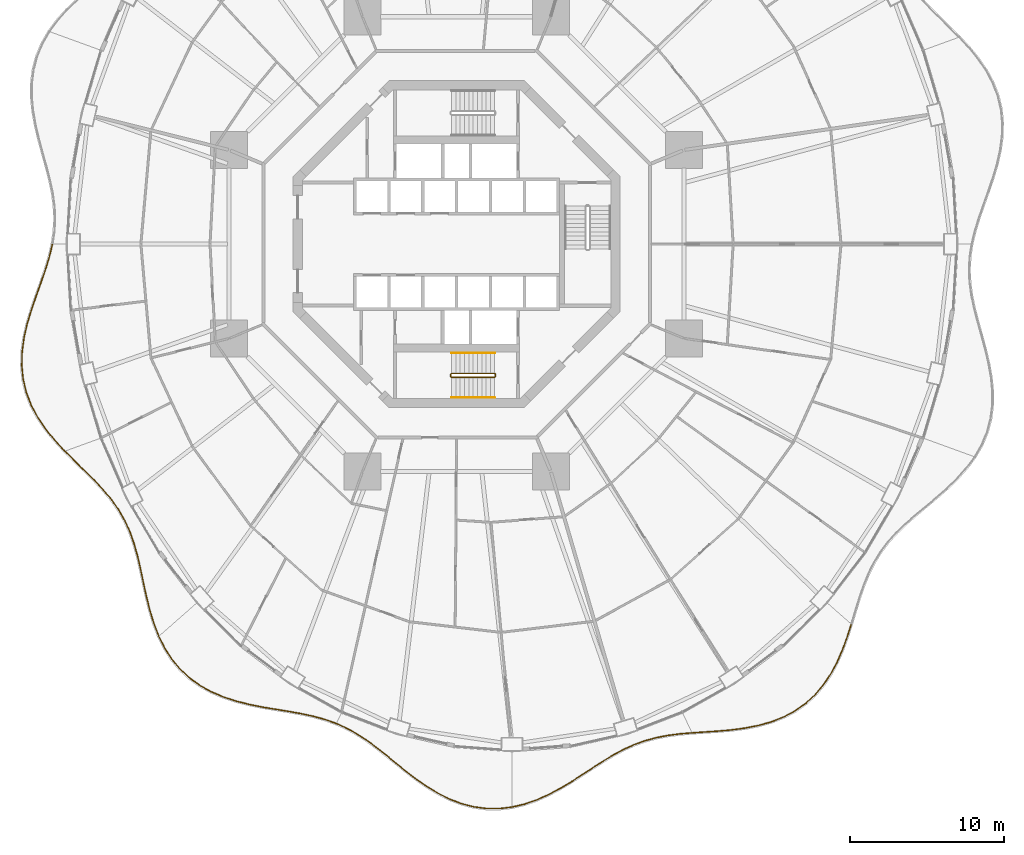
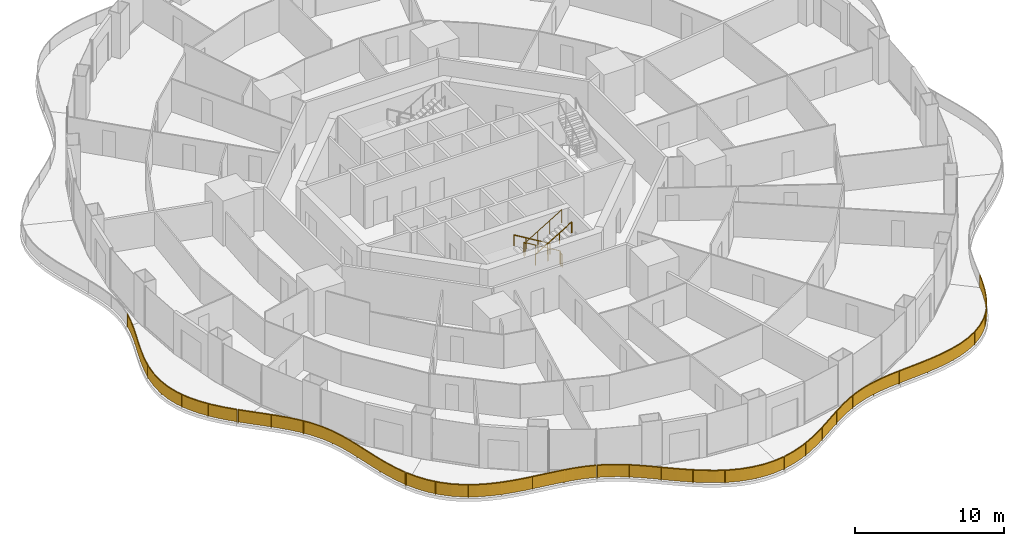
# One storey, part 20 of 22: 9 railings.
"""IFC4 building model written with IfcOpenShell, lengths in metres."""

import ifcopenshell
import ifcopenshell.guid

model = None  # the IFC model being written
_history = None  # IfcOwnerHistory: only IFC2X3 demands one
_inside = {}  # id of a spatial element -> (the spatial element, [elements in it])
_under = {}  # id of a project, library or spatial element -> (it, [spatial elements below it])
_declared = {}  # id of a project -> (the project, [libraries it declares])
_typed = {}  # id of a type object -> (the type object, [elements of that type])
_made_of = {}  # id of a material, layer set ... -> (it, [elements and type objects made of it])


def new_model(schema):
    """Start an empty IFC model of exactly this schema.

    Asked for "IFC4X3", IfcOpenShell would pick the latest addendum, in which some entities
    have other attributes; the version numbers below select the first issue.
    IFC2X3 requires an IfcOwnerHistory on every rooted entity: one is made here for all.
    """
    global model, _history
    if schema == "IFC4X3":
        model = ifcopenshell.file(schema_version=(4, 3, 0, 0))
    else:
        model = ifcopenshell.file(schema=schema)
    _inside.clear()
    _under.clear()
    _declared.clear()
    _typed.clear()
    _made_of.clear()
    _history = None
    if model.schema == "IFC2X3":
        org = make("IfcOrganization", Name="unknown")
        user = make(
            "IfcPersonAndOrganization",
            ThePerson=make("IfcPerson", FamilyName="unknown"),
            TheOrganization=org,
        )
        app = make(
            "IfcApplication",
            ApplicationDeveloper=org,
            Version="unknown",
            ApplicationFullName="unknown",
            ApplicationIdentifier="unknown",
        )
        _history = make(
            "IfcOwnerHistory",
            OwningUser=user,
            OwningApplication=app,
            ChangeAction="ADDED",
            CreationDate=0,
        )
    return model


def make(cls, **values):
    """One entity of the class cls with the attributes given. An attribute that is None is left unset."""
    return model.create_entity(
        cls, **{name: value for name, value in values.items() if value is not None}
    )


def rooted(cls, **values):
    """An entity with a GlobalId (a new one), such as an element, a storey or a relation."""
    return make(cls, GlobalId=ifcopenshell.guid.new(), OwnerHistory=_history, **values)


def si_unit(unit_type, name, prefix=None):
    """IfcSIUnit, for example si_unit("LENGTHUNIT", "METRE", prefix="MILLI")."""
    return make("IfcSIUnit", UnitType=unit_type, Prefix=prefix, Name=name)


def assignment(units):
    """IfcUnitAssignment: the units of a project."""
    return None if units is None else make("IfcUnitAssignment", Units=units)


def point(xyz):
    """IfcCartesianPoint."""
    return None if xyz is None else make("IfcCartesianPoint", Coordinates=xyz)


def direction(xyz):
    """IfcDirection."""
    return None if xyz is None else make("IfcDirection", DirectionRatios=xyz)


def frame(location, z_axis=None, x_axis=None):
    """IfcAxis2Placement3D, a coordinate frame: its origin and axes. An axis left out is left unset."""
    return make(
        "IfcAxis2Placement3D",
        Location=point(location),
        Axis=direction(z_axis),
        RefDirection=direction(x_axis),
    )


def frame_2d(location, x_axis=None):
    """IfcAxis2Placement2D, a coordinate frame in the plane: its origin and x axis."""
    return make(
        "IfcAxis2Placement2D", Location=point(location), RefDirection=direction(x_axis)
    )


def origin():
    """The frame at (0, 0, 0) with its axes left unset."""
    return frame((0.0, 0.0, 0.0))


def origin_2d():
    """The frame at (0, 0) in the plane with its x axis left unset."""
    return frame_2d((0.0, 0.0))


def place(relative_to, where):
    """IfcLocalPlacement: puts the frame where relative to a parent placement (None: the world)."""
    return make(
        "IfcLocalPlacement", PlacementRelTo=relative_to, RelativePlacement=where
    )


def context(
    kind, dimensions, precision=None, world=None, true_north=None, identifier=None
):
    """IfcGeometricRepresentationContext, for example the 3D "Model" context."""
    return make(
        "IfcGeometricRepresentationContext",
        ContextIdentifier=identifier,
        ContextType=kind,
        CoordinateSpaceDimension=dimensions,
        Precision=precision,
        WorldCoordinateSystem=world,
        TrueNorth=true_north,
    )


def subcontext(parent, identifier, kind, view, scale=None):
    """IfcGeometricRepresentationSubContext, for example "Body" below "Model"."""
    return make(
        "IfcGeometricRepresentationSubContext",
        ContextIdentifier=identifier,
        ContextType=kind,
        ParentContext=parent,
        TargetScale=scale,
        TargetView=view,
    )


def project(units=None, contexts=None):
    """IfcProject with its units and contexts."""
    return rooted(
        "IfcProject",
        Name="project",
        RepresentationContexts=contexts,
        UnitsInContext=assignment(units),
    )


def spatial(cls, under=None, at=None, **own):
    """A site, building, storey or space (cls), placed at a placement, below another one or the project."""
    s = rooted(cls, ObjectPlacement=at, **own)
    if under is not None:
        _under.setdefault(under.id(), (under, []))[1].append(s)
    return s


def polyline(points):
    """IfcPolyline through the points."""
    return make("IfcPolyline", Points=[point(p) for p in points])


def profile(cls, at=None, kind="AREA", **sizes):
    """A parametric profile (cls). Its sizes go by their IFC names, for example OverallWidth=200.0."""
    return make(cls, ProfileType=kind, Position=at, **sizes)


def rectangle(**sizes):
    """IfcRectangleProfileDef."""
    return profile("IfcRectangleProfileDef", **sizes)


def circle(**sizes):
    """IfcCircleProfileDef."""
    return profile("IfcCircleProfileDef", **sizes)


def outline(outer, holes=None, kind="AREA"):
    """IfcArbitraryClosedProfileDef: a profile drawn as a closed curve; with holes, ...WithVoids."""
    if holes is None:
        return make("IfcArbitraryClosedProfileDef", ProfileType=kind, OuterCurve=outer)
    return make(
        "IfcArbitraryProfileDefWithVoids",
        ProfileType=kind,
        OuterCurve=outer,
        InnerCurves=holes,
    )


def extrude(swept, where, along, depth):
    """IfcExtrudedAreaSolid: the profile swept, set in the frame where, extruded along a direction by depth."""
    return make(
        "IfcExtrudedAreaSolid",
        SweptArea=swept,
        Position=where,
        ExtrudedDirection=direction(along),
        Depth=depth,
    )


def shape(context_of_items, identifier, shape_type, items):
    """IfcShapeRepresentation: the items that make up one representation, for example the "Body"."""
    return make(
        "IfcShapeRepresentation",
        ContextOfItems=context_of_items,
        RepresentationIdentifier=identifier,
        RepresentationType=shape_type,
        Items=items,
    )


def material(Name=None, Category=None):
    """IfcMaterial."""
    return make("IfcMaterial", Name=Name, Category=Category)


def made_of(thing, what):
    """Note that an element or type object is made of a material, layer set ...; save() writes the relation."""
    if what is not None:
        _made_of.setdefault(what.id(), (what, []))[1].append(thing)
    return thing


def type_object(cls, material=None, **own):
    """A type object (cls), such as IfcWallType, which elements share."""
    return made_of(rooted(cls, **own), material)


def element(
    cls,
    number,
    at=None,
    inside=None,
    cuts=None,
    type_object=None,
    material=None,
    context=None,
    identifier="Body",
    shape_type=None,
    held_by="IfcProductDefinitionShape",
    body=None,
    shapes=None,
    **own,
):
    """One element of the class cls, such as IfcWall. Its Tag is "e" and its number.

    at: its placement. inside: the storey or other place that contains it. cuts: it is an
    opening in that element (IfcRelVoidsElement). A single representation is given by context,
    identifier, shape_type and body (its items); several are given by shapes. held_by: the class
    of the entity that holds the representations. save() writes the other relations.
    """
    e = rooted(cls, Tag="e%d" % number, ObjectPlacement=at, **own)
    if body is not None:
        shapes = [shape(context, identifier, shape_type, body)]
    if shapes is not None:
        e.Representation = make(held_by, Representations=shapes)
    if inside is not None:
        _inside.setdefault(inside.id(), (inside, []))[1].append(e)
    if cuts is not None:
        rooted(
            "IfcRelVoidsElement", RelatingBuildingElement=cuts, RelatedOpeningElement=e
        )
    if type_object is not None:
        _typed.setdefault(type_object.id(), (type_object, []))[1].append(e)
    return made_of(e, material)


def aggregate(whole, parts):
    """IfcRelAggregates: a whole, such as a stair, and the parts it consists of."""
    return rooted("IfcRelAggregates", RelatingObject=whole, RelatedObjects=parts)


def save(model, path):
    """Write the relations noted so far, then the file.

    IfcRelAggregates (storeys below a building ...), IfcRelContainedInSpatialStructure (elements
    in a storey), IfcRelDefinesByType, IfcRelAssociatesMaterial and IfcRelDeclares: one each for
    every whole, place, type object, material and project.
    """
    for whole, parts in _under.values():
        aggregate(whole, parts)
    for where, things in _inside.values():
        rooted(
            "IfcRelContainedInSpatialStructure",
            RelatedElements=things,
            RelatingStructure=where,
        )
    for kind, things in _typed.values():
        rooted("IfcRelDefinesByType", RelatedObjects=things, RelatingType=kind)
    for what, things in _made_of.values():
        rooted("IfcRelAssociatesMaterial", RelatedObjects=things, RelatingMaterial=what)
    for by, libraries in _declared.values():
        rooted("IfcRelDeclares", RelatingContext=by, RelatedDefinitions=libraries)
    model.write(path)


model = new_model("IFC4")

# Units and contexts
model_context = context("Model", 3, precision=1e-05, world=origin(), true_north=direction((0.0, 1.0)))
body_context = subcontext(model_context, "Body", "Model", "MODEL_VIEW")
ifc_project = project(units=[si_unit("LENGTHUNIT", "METRE"), si_unit("AREAUNIT", "SQUARE_METRE"), si_unit("VOLUMEUNIT", "CUBIC_METRE"), si_unit("PLANEANGLEUNIT", "RADIAN"), si_unit("MASSUNIT", "GRAM", prefix="KILO")], contexts=[model_context])

# Site, building, storey
site_placement = place(None, origin())
site = spatial("IfcSite", under=ifc_project, at=site_placement, CompositionType="ELEMENT")
building_placement = place(site_placement, origin())
building = spatial("IfcBuilding", under=site, at=building_placement, Name="Nagisa Residences", CompositionType="ELEMENT")
storey_placement = place(building_placement, frame((0.0, 0.0, 45.5)))
storey = spatial("IfcBuildingStorey", under=building, at=storey_placement, Name="L10", CompositionType="ELEMENT", Elevation=45.5)

# Railings
ifc_material_1 = material(Name="Stainless steel 316", Category="steel")
railing_type_1 = type_object("IfcRailingType", Name="BALCONY GUARD 1100", PredefinedType="BALUSTRADE", material=ifc_material_1)
railing_1_placement = place(storey_placement, frame((-26.280029296875, -0.0341796875, 0.0)))
element("IfcRailing", 1, at=railing_1_placement, inside=storey, type_object=railing_type_1, Name="guard:L10:bal08-0", PredefinedType="BALUSTRADE", context=body_context, shape_type="SweptSolid", body=[
    extrude(outline(polyline([(-0.165771484375, -0.79638671875), (0.0244140625, -0.005859375), (-0.0244140625, 0.005859375), (-0.214111328125, -0.783203125), (-0.471923828125, -1.625), (-0.769775390625, -2.482421875), (-1.083251953125, -3.357177734375), (-1.386962890625, -4.248291015625), (-1.65576171875, -5.138916015625), (-1.86181640625, -6.05126953125), (-1.984130859375, -6.96484375), (-2.006103515625, -7.871826171875), (-1.9150390625, -8.763427734375), (-1.7099609375, -9.617919921875), (-1.38623046875, -10.455810546875), (-0.956298828125, -11.25830078125), (-0.434326171875, -12.02294921875), (0.15966796875, -12.75048828125), (0.77294921875, -13.409912109375), (0.8095703125, -13.375732421875), (0.197265625, -12.7177734375), (-0.394287109375, -11.9931640625), (-0.913330078125, -11.232421875), (-1.3408203125, -10.434814453125), (-1.662109375, -9.602783203125), (-1.86572265625, -8.755126953125), (-1.955810546875, -7.869873046875), (-1.934326171875, -6.96875), (-1.8125, -6.06005859375), (-1.607421875, -5.151611328125), (-1.339111328125, -4.263427734375), (-1.035888671875, -3.373779296875), (-0.722412109375, -2.4990234375), (-0.424560546875, -1.640625), (-0.165771484375, -0.79638671875)])), frame((0.0, 0.0, 1.050048828125)), (0.0, 0.0, 1.0), 0.050048828125),
    extrude(outline(polyline([(-0.18310546875, -0.791748046875), (0.0068359375, -0.001708984375), (-0.0068359375, 0.001708984375), (-0.19677734375, -0.787841796875), (-0.454833984375, -1.630615234375), (-0.752685546875, -2.48828125), (-1.066162109375, -3.36328125), (-1.36962890625, -4.253662109375), (-1.638427734375, -5.1435546875), (-1.843994140625, -6.054443359375), (-1.96630859375, -6.96630859375), (-1.988037109375, -7.87109375), (-1.897216796875, -8.760498046875), (-1.692626953125, -9.612548828125), (-1.369873046875, -10.4482421875), (-0.94091796875, -11.2490234375), (-0.419921875, -12.01220703125), (0.173095703125, -12.73876953125), (0.7861328125, -13.397705078125), (0.79638671875, -13.387939453125), (0.183837890625, -12.7294921875), (-0.40869140625, -12.00390625), (-0.9287109375, -11.24169921875), (-1.357177734375, -10.4423828125), (-1.679443359375, -9.608154296875), (-1.883544921875, -8.758056640625), (-1.973876953125, -7.87060546875), (-1.9521484375, -6.96728515625), (-1.830322265625, -6.056884765625), (-1.624755859375, -5.14697265625), (-1.3564453125, -4.258056640625), (-1.052978515625, -3.36767578125), (-0.739501953125, -2.4931640625), (-0.441650390625, -1.635009765625), (-0.18310546875, -0.791748046875)])), frame((0.0, 0.0, 0.06005859375)), (0.0, 0.0, 1.0), 0.989990234375),
    extrude(rectangle(XDim=0.0400390625, YDim=0.0400390625, at=origin_2d()), origin(), (0.0, 0.0, 1.0), 1.050048828125),
    extrude(rectangle(XDim=0.0400390625, YDim=0.0400390625, at=origin_2d()), frame((-0.571533203125, -1.988037109375, 0.0)), (0.0, 0.0, 1.0), 1.050048828125),
    extrude(rectangle(XDim=0.0400390625, YDim=0.0400390625, at=origin_2d()), frame((-1.255859375, -3.94140625, 0.0)), (0.0, 0.0, 1.0), 1.050048828125),
    extrude(rectangle(XDim=0.0400390625, YDim=0.0400390625, at=origin_2d()), frame((-1.809814453125, -5.93408203125, 0.0)), (0.0, 0.0, 1.0), 1.050048828125),
    extrude(rectangle(XDim=0.0400390625, YDim=0.0400390625, at=origin_2d()), frame((-1.968505859375, -7.991943359375, 0.0)), (0.0, 0.0, 1.0), 1.050048828125),
    extrude(rectangle(XDim=0.0400390625, YDim=0.0400390625, at=origin_2d()), frame((-1.533447265625, -10.005126953125, 0.0)), (0.0, 0.0, 1.0), 1.050048828125),
    extrude(rectangle(XDim=0.0400390625, YDim=0.0400390625, at=origin_2d()), frame((-0.545654296875, -11.815673828125, 0.0)), (0.0, 0.0, 1.0), 1.050048828125),
    extrude(rectangle(XDim=0.0400390625, YDim=0.0400390625, at=origin_2d()), frame((0.791259765625, -13.392822265625, 0.0)), (0.0, 0.0, 1.0), 1.050048828125),
])
railing_2_placement = place(storey_placement, frame((-25.4345703125, -13.4814453125, 0.0)))
element("IfcRailing", 2, at=railing_2_placement, inside=storey, type_object=railing_type_1, Name="guard:L10:bal09-0", PredefinedType="BALUSTRADE", context=body_context, shape_type="SweptSolid", body=[
    extrude(outline(polyline([(0.632568359375, -0.5947265625), (0.017578125, 0.017822265625), (-0.017578125, -0.017822265625), (0.597412109375, -0.63037109375), (1.242431640625, -1.25927734375), (1.865966796875, -1.880126953125), (2.449462890625, -2.503662109375), (2.978759765625, -3.140380859375), (3.437744140625, -3.787353515625), (3.836181640625, -4.47900390625), (4.169189453125, -5.208740234375), (4.443603515625, -5.978759765625), (4.672119140625, -6.78955078125), (4.861572265625, -7.624267578125), (5.04736328125, -8.49951171875), (5.24072265625, -9.391845703125), (5.462158203125, -10.287109375), (5.730224609375, -11.169189453125), (6.04150390625, -11.978759765625), (6.08837890625, -11.960693359375), (5.777587890625, -11.153076171875), (5.510498046875, -10.27392578125), (5.28955078125, -9.380615234375), (5.09619140625, -8.4892578125), (4.910400390625, -7.613525390625), (4.720458984375, -6.77734375), (4.491455078125, -5.963623046875), (4.215576171875, -5.189697265625), (3.880615234375, -4.4560546875), (3.479736328125, -3.760498046875), (3.018310546875, -3.110107421875), (2.487060546875, -2.470458984375), (1.902099609375, -1.845458984375), (1.277587890625, -1.2236328125), (0.632568359375, -0.5947265625)])), frame((0.0, 0.0, 1.050048828125)), (0.0, 0.0, 1.0), 0.050048828125),
    extrude(outline(polyline([(0.619873046875, -0.607666015625), (0.0048828125, 0.0048828125), (-0.0048828125, -0.0048828125), (0.610107421875, -0.617431640625), (1.255126953125, -1.246337890625), (1.87890625, -1.86767578125), (2.462890625, -2.49169921875), (2.992919921875, -3.12939453125), (3.452880859375, -3.777587890625), (3.85205078125, -4.470703125), (4.185791015625, -5.201904296875), (4.4609375, -5.973388671875), (4.689453125, -6.78515625), (4.879150390625, -7.620361328125), (5.06494140625, -8.495849609375), (5.25830078125, -9.3876953125), (5.4794921875, -10.282470703125), (5.747314453125, -11.163330078125), (6.058349609375, -11.97216796875), (6.071533203125, -11.96728515625), (5.760498046875, -11.158935546875), (5.4931640625, -10.278564453125), (5.27197265625, -9.384765625), (5.07861328125, -8.492919921875), (4.892822265625, -7.617431640625), (4.703125, -6.78173828125), (4.47412109375, -5.968994140625), (4.198974609375, -5.196533203125), (3.86474609375, -4.46435546875), (3.464599609375, -3.770263671875), (3.004150390625, -3.12109375), (2.4736328125, -2.482421875), (1.88916015625, -1.85791015625), (1.264892578125, -1.236572265625), (0.619873046875, -0.607666015625)])), frame((0.0, 0.0, 0.06005859375)), (0.0, 0.0, 1.0), 0.989990234375),
    extrude(rectangle(XDim=0.0400390625, YDim=0.0400390625, at=origin_2d()), origin(), (0.0, 0.0, 1.0), 1.050048828125),
    extrude(rectangle(XDim=0.0400390625, YDim=0.0400390625, at=origin_2d()), frame((1.6328125, -1.61279296875, 0.0)), (0.0, 0.0, 1.0), 1.050048828125),
    extrude(rectangle(XDim=0.0400390625, YDim=0.0400390625, at=origin_2d()), frame((3.146484375, -3.333740234375, 0.0)), (0.0, 0.0, 1.0), 1.050048828125),
    extrude(rectangle(XDim=0.0400390625, YDim=0.0400390625, at=origin_2d()), frame((4.242919921875, -5.341064453125, 0.0)), (0.0, 0.0, 1.0), 1.050048828125),
    extrude(rectangle(XDim=0.0400390625, YDim=0.0400390625, at=origin_2d()), frame((4.869384765625, -7.546142578125, 0.0)), (0.0, 0.0, 1.0), 1.050048828125),
    extrude(rectangle(XDim=0.0400390625, YDim=0.0400390625, at=origin_2d()), frame((5.3642578125, -9.787109375, 0.0)), (0.0, 0.0, 1.0), 1.050048828125),
    extrude(rectangle(XDim=0.0400390625, YDim=0.0400390625, at=origin_2d()), frame((6.06494140625, -11.9697265625, 0.0)), (0.0, 0.0, 1.0), 1.050048828125),
])
railing_3_placement = place(storey_placement, frame((-19.339111328125, -25.522216796875, 0.0)))
element("IfcRailing", 3, at=railing_3_placement, inside=storey, type_object=railing_type_1, Name="guard:L10:bal10-0", PredefinedType="BALUSTRADE", context=body_context, shape_type="SweptSolid", body=[
    extrude(outline(polyline([(0.382568359375, -0.71533203125), (0.0224609375, 0.01123046875), (-0.0224609375, -0.01123046875), (0.339111328125, -0.740234375), (0.79833984375, -1.455810546875), (1.335205078125, -2.105224609375), (1.948486328125, -2.68115234375), (2.6328125, -3.1787109375), (3.367431640625, -3.586181640625), (4.1650390625, -3.928955078125), (5.0, -4.203369140625), (5.858642578125, -4.4208984375), (6.7265625, -4.595458984375), (7.57568359375, -4.734375), (8.423583984375, -4.873291015625), (9.24658203125, -5.0205078125), (10.038818359375, -5.192138671875), (10.7978515625, -5.402587890625), (11.484375, -5.6484375), (11.50146484375, -5.60107421875), (10.81298828125, -5.354736328125), (10.051025390625, -5.143310546875), (9.25634765625, -4.97119140625), (8.431884765625, -4.823974609375), (7.583984375, -4.68505859375), (6.7353515625, -4.546142578125), (5.869873046875, -4.3720703125), (5.01416015625, -4.155517578125), (4.1826171875, -3.882080078125), (3.389404296875, -3.541259765625), (2.65966796875, -3.13623046875), (1.980224609375, -2.642578125), (1.371826171875, -2.071044921875), (0.8388671875, -1.426025390625), (0.382568359375, -0.71533203125)])), frame((0.0, 0.0, 1.050048828125)), (0.0, 0.0, 1.0), 0.050048828125),
    extrude(outline(polyline([(0.366943359375, -0.724365234375), (0.00634765625, 0.003173828125), (-0.00634765625, -0.003173828125), (0.354736328125, -0.731201171875), (0.81298828125, -1.445068359375), (1.348388671875, -2.093017578125), (1.9599609375, -2.667236328125), (2.642578125, -3.163330078125), (3.375244140625, -3.570068359375), (4.17138671875, -3.912109375), (5.005126953125, -4.186279296875), (5.86279296875, -4.4033203125), (6.729736328125, -4.57763671875), (7.57861328125, -4.716552734375), (8.426513671875, -4.85546875), (9.25, -5.002685546875), (10.043212890625, -5.174560546875), (10.80322265625, -5.38525390625), (11.490478515625, -5.63134765625), (11.495361328125, -5.6181640625), (10.8076171875, -5.3720703125), (10.046630859375, -5.160888671875), (9.2529296875, -4.989013671875), (8.428955078125, -4.841796875), (7.5810546875, -4.702880859375), (6.732177734375, -4.56396484375), (5.86572265625, -4.3896484375), (5.009033203125, -4.172607421875), (4.17626953125, -3.89892578125), (3.381591796875, -3.557373046875), (2.64990234375, -3.151611328125), (1.96875, -2.656494140625), (1.358642578125, -2.083251953125), (0.82421875, -1.436767578125), (0.366943359375, -0.724365234375)])), frame((0.0, 0.0, 0.06005859375)), (0.0, 0.0, 1.0), 0.989990234375),
    extrude(rectangle(XDim=0.0400390625, YDim=0.0400390625, at=origin_2d()), origin(), (0.0, 0.0, 1.0), 1.050048828125),
    extrude(rectangle(XDim=0.0400390625, YDim=0.0400390625, at=origin_2d()), frame((1.185791015625, -1.88525390625, 0.0)), (0.0, 0.0, 1.0), 1.050048828125),
    extrude(rectangle(XDim=0.0400390625, YDim=0.0400390625, at=origin_2d()), frame((2.9013671875, -3.299072265625, 0.0)), (0.0, 0.0, 1.0), 1.050048828125),
    extrude(rectangle(XDim=0.0400390625, YDim=0.0400390625, at=origin_2d()), frame((4.957275390625, -4.1630859375, 0.0)), (0.0, 0.0, 1.0), 1.050048828125),
    extrude(rectangle(XDim=0.0400390625, YDim=0.0400390625, at=origin_2d()), frame((7.140869140625, -4.637939453125, 0.0)), (0.0, 0.0, 1.0), 1.050048828125),
    extrude(rectangle(XDim=0.0400390625, YDim=0.0400390625, at=origin_2d()), frame((9.344482421875, -5.01611328125, 0.0)), (0.0, 0.0, 1.0), 1.050048828125),
    extrude(rectangle(XDim=0.0400390625, YDim=0.0400390625, at=origin_2d()), frame((11.492919921875, -5.624755859375, 0.0)), (0.0, 0.0, 1.0), 1.050048828125),
])
railing_4_placement = place(storey_placement, frame((-7.7822265625, -31.172119140625, 0.0)))
element("IfcRailing", 4, at=railing_4_placement, inside=storey, type_object=railing_type_1, Name="guard:L10:bal11-0", PredefinedType="BALUSTRADE", context=body_context, shape_type="SweptSolid", body=[
    extrude(outline(polyline([(0.645751953125, -0.265380859375), (0.01025390625, 0.022705078125), (-0.01025390625, -0.022705078125), (0.623291015625, -0.310302734375), (1.273193359375, -0.670166015625), (1.908935546875, -1.083740234375), (2.537841796875, -1.544921875), (3.16845703125, -2.04345703125), (3.79296875, -2.561279296875), (4.451171875, -3.09228515625), (5.132080078125, -3.61279296875), (5.839599609375, -4.1044921875), (6.575439453125, -4.54833984375), (7.322021484375, -4.92431640625), (8.109619140625, -5.222900390625), (8.91796875, -5.429443359375), (9.73974609375, -5.5361328125), (10.568359375, -5.540283203125), (11.3466796875, -5.447021484375), (11.3408203125, -5.397216796875), (10.5654296875, -5.489990234375), (9.7431640625, -5.486328125), (8.92724609375, -5.380126953125), (8.124755859375, -5.175048828125), (7.342041015625, -4.87841796875), (6.599853515625, -4.50439453125), (5.866943359375, -4.0625), (5.161376953125, -3.572265625), (4.48193359375, -3.052734375), (3.82470703125, -2.522705078125), (3.2001953125, -2.00439453125), (2.568115234375, -1.5048828125), (1.937255859375, -1.042724609375), (1.299072265625, -0.627197265625), (0.645751953125, -0.265380859375)])), frame((0.0, 0.0, 1.050048828125)), (0.0, 0.0, 1.0), 0.050048828125),
    extrude(outline(polyline([(0.6376953125, -0.281494140625), (0.0029296875, 0.00634765625), (-0.0029296875, -0.00634765625), (0.63134765625, -0.294189453125), (1.282470703125, -0.65478515625), (1.919189453125, -1.069091796875), (2.548828125, -1.530517578125), (3.179931640625, -2.029296875), (3.804443359375, -2.54736328125), (4.462158203125, -3.078125), (5.142578125, -3.59814453125), (5.849365234375, -4.08935546875), (6.584228515625, -4.532470703125), (7.3291015625, -4.90771484375), (8.114990234375, -5.20556640625), (8.92138671875, -5.41162109375), (9.740966796875, -5.518310546875), (10.5673828125, -5.522216796875), (11.344482421875, -5.428955078125), (11.343017578125, -5.415283203125), (10.56640625, -5.508056640625), (9.741943359375, -5.504150390625), (8.923828125, -5.39794921875), (8.119384765625, -5.1923828125), (7.3349609375, -4.89501953125), (6.591064453125, -4.520263671875), (5.857177734375, -4.07763671875), (5.15087890625, -3.5869140625), (4.470947265625, -3.06689453125), (3.813232421875, -2.53662109375), (3.188720703125, -2.0185546875), (2.55712890625, -1.519287109375), (1.927001953125, -1.057373046875), (1.289794921875, -0.642578125), (0.6376953125, -0.281494140625)])), frame((0.0, 0.0, 0.06005859375)), (0.0, 0.0, 1.0), 0.989990234375),
    extrude(rectangle(XDim=0.0400390625, YDim=0.0400390625, at=origin_2d()), origin(), (0.0, 0.0, 1.0), 1.050048828125),
    extrude(rectangle(XDim=0.0400390625, YDim=0.0400390625, at=origin_2d()), frame((1.8876953125, -1.040283203125, 0.0)), (0.0, 0.0, 1.0), 1.050048828125),
    extrude(rectangle(XDim=0.0400390625, YDim=0.0400390625, at=origin_2d()), frame((3.59326171875, -2.36328125, 0.0)), (0.0, 0.0, 1.0), 1.050048828125),
    extrude(rectangle(XDim=0.0400390625, YDim=0.0400390625, at=origin_2d()), frame((5.29296875, -3.694091796875, 0.0)), (0.0, 0.0, 1.0), 1.050048828125),
    extrude(rectangle(XDim=0.0400390625, YDim=0.0400390625, at=origin_2d()), frame((7.140869140625, -4.804931640625, 0.0)), (0.0, 0.0, 1.0), 1.050048828125),
    extrude(rectangle(XDim=0.0400390625, YDim=0.0400390625, at=origin_2d()), frame((9.194580078125, -5.440185546875, 0.0)), (0.0, 0.0, 1.0), 1.050048828125),
    extrude(rectangle(XDim=0.0400390625, YDim=0.0400390625, at=origin_2d()), frame((11.34375, -5.422119140625, 0.0)), (0.0, 0.0, 1.0), 1.050048828125),
])
railing_5_placement = place(storey_placement, frame((3.6376953125, -36.580322265625, 0.0)))
element("IfcRailing", 5, at=railing_5_placement, inside=storey, type_object=railing_type_1, Name="guard:L10:bal12-0", PredefinedType="BALUSTRADE", context=body_context, shape_type="SweptSolid", body=[
    extrude(outline(polyline([(0.762451171875, 0.20751953125), (-0.005859375, 0.0244140625), (0.005859375, -0.0244140625), (0.776611328125, 0.1591796875), (1.58056640625, 0.43798828125), (2.364501953125, 0.7880859375), (3.1259765625, 1.19287109375), (3.864013671875, 1.634033203125), (4.56201171875, 2.089599609375), (5.25830078125, 2.5458984375), (5.940185546875, 2.983154296875), (6.61474609375, 3.38671875), (7.2890625, 3.744384765625), (7.95361328125, 4.043701171875), (8.6494140625, 4.291748046875), (9.365478515625, 4.48388671875), (10.106689453125, 4.625732421875), (10.875244140625, 4.725830078125), (11.625732421875, 4.790771484375), (11.621337890625, 4.840576171875), (10.869873046875, 4.775634765625), (10.098876953125, 4.675048828125), (9.354248046875, 4.53271484375), (8.63427734375, 4.339599609375), (7.93505859375, 4.090087890625), (7.26708984375, 3.789306640625), (6.59033203125, 3.43017578125), (5.913818359375, 3.025634765625), (5.23095703125, 2.587890625), (4.53466796875, 2.131591796875), (3.837646484375, 1.676513671875), (3.1015625, 1.236328125), (2.342529296875, 0.8330078125), (1.56201171875, 0.484375), (0.762451171875, 0.20751953125)])), frame((0.0, 0.0, 1.050048828125)), (0.0, 0.0, 1.0), 0.050048828125),
    extrude(outline(polyline([(0.767578125, 0.190185546875), (-0.001708984375, 0.0068359375), (0.001708984375, -0.0068359375), (0.771484375, 0.176513671875), (1.573974609375, 0.45458984375), (2.356689453125, 0.80419921875), (3.1171875, 1.20849609375), (3.8544921875, 1.6494140625), (4.55224609375, 2.104736328125), (5.24853515625, 2.56103515625), (5.9306640625, 2.99853515625), (6.60595703125, 3.40234375), (7.28125, 3.760498046875), (7.947021484375, 4.060302734375), (8.64404296875, 4.30908203125), (9.361328125, 4.50146484375), (10.10400390625, 4.6435546875), (10.873291015625, 4.74365234375), (11.6240234375, 4.80859375), (11.623046875, 4.82275390625), (10.871826171875, 4.7578125), (10.1015625, 4.6572265625), (9.3583984375, 4.51513671875), (8.6396484375, 4.322265625), (7.941650390625, 4.073486328125), (7.27490234375, 3.773193359375), (6.59912109375, 3.41455078125), (5.92333984375, 3.01025390625), (5.24072265625, 2.57275390625), (4.54443359375, 2.116455078125), (3.84716796875, 1.6611328125), (3.1103515625, 1.220703125), (2.350341796875, 0.81689453125), (1.568603515625, 0.4677734375), (0.767578125, 0.190185546875)])), frame((0.0, 0.0, 0.06005859375)), (0.0, 0.0, 1.0), 0.989990234375),
    extrude(rectangle(XDim=0.0400390625, YDim=0.0400390625, at=origin_2d()), origin(), (0.0, 0.0, 1.0), 1.050048828125),
    extrude(rectangle(XDim=0.0400390625, YDim=0.0400390625, at=origin_2d()), frame((2.013671875, 0.65869140625, 0.0)), (0.0, 0.0, 1.0), 1.050048828125),
    extrude(rectangle(XDim=0.0400390625, YDim=0.0400390625, at=origin_2d()), frame((3.8779296875, 1.6728515625, 0.0)), (0.0, 0.0, 1.0), 1.050048828125),
    extrude(rectangle(XDim=0.0400390625, YDim=0.0400390625, at=origin_2d()), frame((5.657958984375, 2.83203125, 0.0)), (0.0, 0.0, 1.0), 1.050048828125),
    extrude(rectangle(XDim=0.0400390625, YDim=0.0400390625, at=origin_2d()), frame((7.508544921875, 3.87060546875, 0.0)), (0.0, 0.0, 1.0), 1.050048828125),
    extrude(rectangle(XDim=0.0400390625, YDim=0.0400390625, at=origin_2d()), frame((9.519287109375, 4.538818359375, 0.0)), (0.0, 0.0, 1.0), 1.050048828125),
    extrude(rectangle(XDim=0.0400390625, YDim=0.0400390625, at=origin_2d()), frame((11.62353515625, 4.815673828125, 0.0)), (0.0, 0.0, 1.0), 1.050048828125),
])
railing_6_placement = place(storey_placement, frame((15.335693359375, -31.7607421875, 0.0)))
element("IfcRailing", 6, at=railing_6_placement, inside=storey, type_object=railing_type_1, Name="guard:L10:bal13-0", PredefinedType="BALUSTRADE", context=body_context, shape_type="SweptSolid", body=[
    extrude(outline(polyline([(0.804443359375, 0.0771484375), (-0.001708984375, 0.02490234375), (0.001708984375, -0.02490234375), (0.807861328125, 0.02734375), (1.677978515625, 0.0869140625), (2.558837890625, 0.166748046875), (3.439697265625, 0.28515625), (4.306396484375, 0.45751953125), (5.134521484375, 0.690185546875), (5.936279296875, 1.009521484375), (6.686767578125, 1.413330078125), (7.37646484375, 1.902587890625), (7.99755859375, 2.475341796875), (8.53466796875, 3.113525390625), (9.0126953125, 3.828125), (9.423095703125, 4.595703125), (9.774169921875, 5.40185546875), (10.077392578125, 6.230224609375), (10.330078125, 7.02294921875), (10.2822265625, 7.0380859375), (10.030029296875, 6.246337890625), (9.727783203125, 5.42041015625), (9.378173828125, 4.61767578125), (8.9697265625, 3.85400390625), (8.49462890625, 3.143798828125), (7.96142578125, 2.510009765625), (7.3447265625, 1.941650390625), (6.660400390625, 1.455810546875), (5.915283203125, 1.054931640625), (5.118408203125, 0.737548828125), (4.294677734375, 0.50634765625), (3.431396484375, 0.33447265625), (2.553466796875, 0.216552734375), (1.674072265625, 0.13671875), (0.804443359375, 0.0771484375)])), frame((0.0, 0.0, 1.050048828125)), (0.0, 0.0, 1.0), 0.050048828125),
    extrude(outline(polyline([(0.8056640625, 0.059326171875), (-0.00048828125, 0.007080078125), (0.00048828125, -0.007080078125), (0.806640625, 0.045166015625), (1.676513671875, 0.104736328125), (2.556884765625, 0.184814453125), (3.436767578125, 0.302978515625), (4.30224609375, 0.47509765625), (5.128662109375, 0.707275390625), (5.9287109375, 1.02587890625), (6.67724609375, 1.4287109375), (7.364990234375, 1.916748046875), (7.984619140625, 2.48779296875), (8.520263671875, 3.12451171875), (8.997314453125, 3.83740234375), (9.406982421875, 4.603515625), (9.757568359375, 5.408447265625), (10.060302734375, 6.236083984375), (10.312744140625, 7.0283203125), (10.299560546875, 7.03271484375), (10.047119140625, 6.240478515625), (9.744384765625, 5.413818359375), (9.394287109375, 4.60986328125), (8.985107421875, 3.8447265625), (8.509033203125, 3.1328125), (7.974365234375, 2.49755859375), (7.356201171875, 1.927490234375), (6.669921875, 1.4404296875), (5.9228515625, 1.03857421875), (5.124267578125, 0.720458984375), (4.298828125, 0.48876953125), (3.434326171875, 0.316650390625), (2.555419921875, 0.198486328125), (1.675537109375, 0.118896484375), (0.8056640625, 0.059326171875)])), frame((0.0, 0.0, 0.06005859375)), (0.0, 0.0, 1.0), 0.989990234375),
    extrude(rectangle(XDim=0.0400390625, YDim=0.0400390625, at=origin_2d()), origin(), (0.0, 0.0, 1.0), 1.050048828125),
    extrude(rectangle(XDim=0.0400390625, YDim=0.0400390625, at=origin_2d()), frame((2.2822265625, 0.166748046875, 0.0)), (0.0, 0.0, 1.0), 1.050048828125),
    extrude(rectangle(XDim=0.0400390625, YDim=0.0400390625, at=origin_2d()), frame((4.53564453125, 0.5478515625, 0.0)), (0.0, 0.0, 1.0), 1.050048828125),
    extrude(rectangle(XDim=0.0400390625, YDim=0.0400390625, at=origin_2d()), frame((6.642822265625, 1.41796875, 0.0)), (0.0, 0.0, 1.0), 1.050048828125),
    extrude(rectangle(XDim=0.0400390625, YDim=0.0400390625, at=origin_2d()), frame((8.34619140625, 2.92822265625, 0.0)), (0.0, 0.0, 1.0), 1.050048828125),
    extrude(rectangle(XDim=0.0400390625, YDim=0.0400390625, at=origin_2d()), frame((9.52099609375, 4.8828125, 0.0)), (0.0, 0.0, 1.0), 1.050048828125),
    extrude(rectangle(XDim=0.0400390625, YDim=0.0400390625, at=origin_2d()), frame((10.30615234375, 7.030517578125, 0.0)), (0.0, 0.0, 1.0), 1.050048828125),
])
ifc_material_2 = material(Name="Stainless steel", Category="steel")
railing_type_2 = type_object("IfcRailingType", Name="Stair guard 1100", PredefinedType="GUARDRAIL", material=ifc_material_2)
railing_7_placement = place(storey_placement, frame((2.52490234375, -8.599609375, 0.0)))
element("IfcRailing", 7, at=railing_7_placement, inside=storey, type_object=railing_type_2, Name="L10 ST-S stair guard 1", PredefinedType="GUARDRAIL", context=body_context, shape_type="SweptSolid", body=[
    extrude(circle(Radius=0.02392578125, at=origin_2d()), frame((0.0, 0.0, 1.076171875), z_axis=(0.0, 1.0, 0.0), x_axis=(-1.0, 0.0, 0.0)), (0.0, 0.0, 1.0), 0.14990234375),
    extrude(circle(Radius=0.02392578125, at=origin_2d()), frame((0.0, 0.14990234375, 1.076171875), z_axis=(-0.273006030465, 0.27434429532, 0.922064485248), x_axis=(-0.708833529934, -0.705375805398, 0.0)), (0.0, 0.0, 1.0), 0.182373046875),
    extrude(circle(Radius=0.02392578125, at=origin_2d()), frame((-0.0498046875, 0.199951171875, 1.244140625), z_axis=(-0.857242210791, 0.0, 0.514913383045), x_axis=(0.0, -1.0, 0.0)), (0.0, 0.0, 1.0), 3.266357421875),
    extrude(circle(Radius=0.02392578125, at=origin_2d()), frame((-2.849853515625, 0.199951171875, 2.92626953125), z_axis=(-0.707106781187, -0.707106781187, 0.0), x_axis=(0.707106781187, -0.707106781187, 0.0)), (0.0, 0.0, 1.0), 0.07080078125),
    extrude(circle(Radius=0.02392578125, at=origin_2d()), frame((-2.89990234375, 0.14990234375, 2.92626953125), z_axis=(0.0, -1.0, 0.0), x_axis=(1.0, 0.0, 0.0)), (0.0, 0.0, 1.0), 0.14990234375),
    extrude(circle(Radius=0.02392578125, at=origin_2d()), frame((-2.89990234375, 0.0, 2.92626953125), z_axis=(0.274582412415, -0.274582412415, 0.921525364591), x_axis=(0.707106781187, 0.707106781187, 0.0)), (0.0, 0.0, 1.0), 0.182373046875),
    extrude(circle(Radius=0.02392578125, at=origin_2d()), frame((-2.849853515625, -0.050048828125, 3.09423828125), z_axis=(0.857242210791, 0.0, 0.514913383045), x_axis=(0.0, 1.0, 0.0)), (0.0, 0.0, 1.0), 3.266357421875),
    extrude(circle(Radius=0.02099609375, at=origin_2d()), origin(), (0.0, 0.0, 1.0), 1.052001953125),
    extrude(circle(Radius=0.02099609375, at=origin_2d()), frame((0.0, 0.14990234375, 0.0)), (0.0, 0.0, 1.0), 1.052001953125),
    extrude(circle(Radius=0.02099609375, at=origin_2d()), frame((-0.0498046875, 0.199951171875, 0.168212890625)), (0.0, 0.0, 1.0), 1.052001953125),
    extrude(circle(Radius=0.02099609375, at=origin_2d()), frame((-0.983154296875, 0.199951171875, 0.728759765625)), (0.0, 0.0, 1.0), 1.052001953125),
    extrude(circle(Radius=0.02099609375, at=origin_2d()), frame((-1.91650390625, 0.199951171875, 1.28955078125)), (0.0, 0.0, 1.0), 1.052001953125),
    extrude(circle(Radius=0.02099609375, at=origin_2d()), frame((-2.849853515625, 0.199951171875, 1.85009765625)), (0.0, 0.0, 1.0), 1.052001953125),
    extrude(circle(Radius=0.02099609375, at=origin_2d()), frame((-2.89990234375, 0.14990234375, 1.85009765625)), (0.0, 0.0, 1.0), 1.052001953125),
    extrude(circle(Radius=0.02099609375, at=origin_2d()), frame((-2.89990234375, 0.0, 1.85009765625)), (0.0, 0.0, 1.0), 1.052001953125),
    extrude(circle(Radius=0.02099609375, at=origin_2d()), frame((-2.849853515625, -0.050048828125, 2.01806640625)), (0.0, 0.0, 1.0), 1.052001953125),
    extrude(circle(Radius=0.02099609375, at=origin_2d()), frame((-1.91650390625, -0.050048828125, 2.57861328125)), (0.0, 0.0, 1.0), 1.052001953125),
    extrude(circle(Radius=0.02099609375, at=origin_2d()), frame((-0.983154296875, -0.050048828125, 3.139404296875)), (0.0, 0.0, 1.0), 1.052001953125),
    extrude(circle(Radius=0.02099609375, at=origin_2d()), frame((-0.0498046875, -0.050048828125, 3.699951171875)), (0.0, 0.0, 1.0), 1.052001953125),
])
ifc_material_3 = material(Name="Stainless steel", Category="steel")
railing_type_3 = type_object("IfcRailingType", Name="Stair handrail 900", PredefinedType="HANDRAIL", material=ifc_material_3)
railing_8_placement = place(storey_placement, frame((2.47509765625, -7.07470703125, 0.168212890625)))
element("IfcRailing", 8, at=railing_8_placement, inside=storey, type_object=railing_type_3, Name="L10 ST-S stair handrail 1", PredefinedType="HANDRAIL", context=body_context, shape_type="SweptSolid", body=[
    extrude(circle(Radius=0.02392578125, at=origin_2d()), frame((0.0, 0.0, 0.8759765625), z_axis=(-0.857242210791, 0.0, 0.514913383045), x_axis=(0.0, -1.0, 0.0)), (0.0, 0.0, 1.0), 3.266357421875),
    extrude(circle(Radius=0.02099609375, at=origin_2d()), origin(), (0.0, 0.0, 1.0), 0.851806640625),
    extrude(circle(Radius=0.02099609375, at=origin_2d()), frame((-0.933349609375, 0.0, 0.560546875)), (0.0, 0.0, 1.0), 0.851806640625),
    extrude(circle(Radius=0.02099609375, at=origin_2d()), frame((-1.86669921875, 0.0, 1.121337890625)), (0.0, 0.0, 1.0), 0.851806640625),
    extrude(circle(Radius=0.02099609375, at=origin_2d()), frame((-2.800048828125, 0.0, 1.681884765625)), (0.0, 0.0, 1.0), 0.851806640625),
])
railing_9_placement = place(storey_placement, frame((-0.324951171875, -9.974609375, 2.01806640625)))
element("IfcRailing", 9, at=railing_9_placement, inside=storey, type_object=railing_type_3, Name="L10 ST-S stair handrail 2", PredefinedType="HANDRAIL", context=body_context, shape_type="SweptSolid", body=[
    extrude(circle(Radius=0.02392578125, at=origin_2d()), frame((0.0, 0.0, 0.8759765625), z_axis=(0.857242210791, 0.0, 0.514913383045), x_axis=(0.0, 1.0, 0.0)), (0.0, 0.0, 1.0), 3.266357421875),
    extrude(circle(Radius=0.02099609375, at=origin_2d()), origin(), (0.0, 0.0, 1.0), 0.851806640625),
    extrude(circle(Radius=0.02099609375, at=origin_2d()), frame((0.933349609375, 0.0, 0.560546875)), (0.0, 0.0, 1.0), 0.851806640625),
    extrude(circle(Radius=0.02099609375, at=origin_2d()), frame((1.86669921875, 0.0, 1.121337890625)), (0.0, 0.0, 1.0), 0.851806640625),
    extrude(circle(Radius=0.02099609375, at=origin_2d()), frame((2.800048828125, 0.0, 1.681884765625)), (0.0, 0.0, 1.0), 0.851806640625),
])

save(model, "model.ifc")
